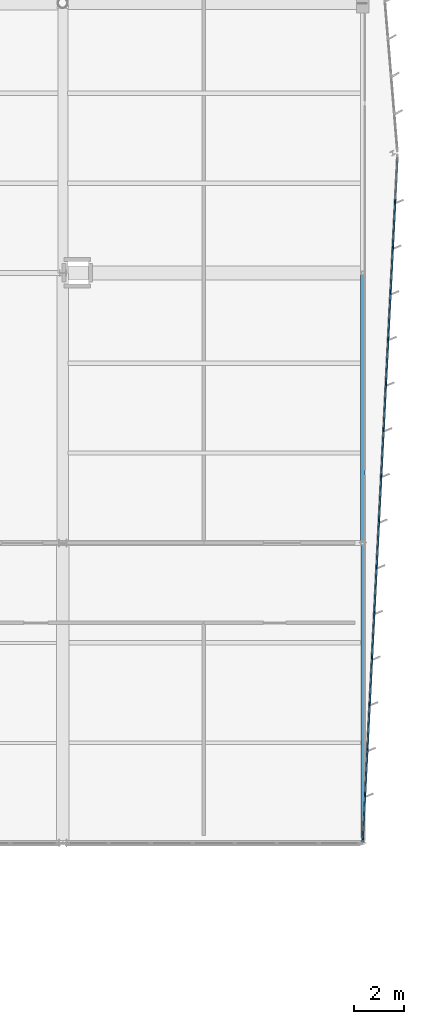
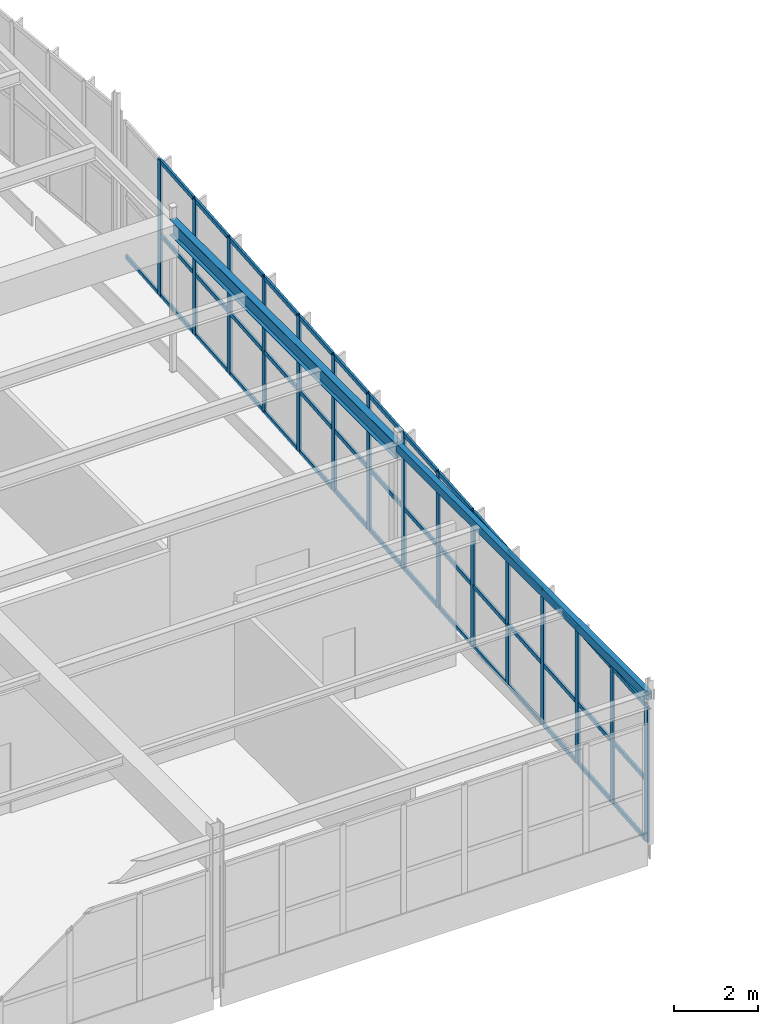
# One storey, part 133 of 226: 58 members, 2 beams, 1 element without a shape of its own.
"""IFC4 building model written with IfcOpenShell, lengths in metres."""

from ifc_helpers import new_model, si_unit, direction, frame, origin, origin_2d, place, context, subcontext, project, spatial, rectangle, hollow_rectangle, i_section, extrude, material, layer, layer_set, material_profile, profile_set, type_object, element, aggregate, save


model = new_model("IFC4")

# Units and contexts
model_context = context("Model", 3, precision=1e-05, world=origin(), true_north=direction((0.0, 1.0)))
body_context = subcontext(model_context, "Body", "Model", "MODEL_VIEW")
ifc_project = project(units=[si_unit("LENGTHUNIT", "METRE"), si_unit("AREAUNIT", "SQUARE_METRE"), si_unit("VOLUMEUNIT", "CUBIC_METRE"), si_unit("PLANEANGLEUNIT", "RADIAN"), si_unit("MASSUNIT", "GRAM", prefix="KILO")], contexts=[model_context])

# Site, building, storey
site_placement = place(None, origin())
site = spatial("IfcSite", under=ifc_project, at=site_placement, CompositionType="ELEMENT")
building_placement = place(site_placement, origin())
building = spatial("IfcBuilding", under=site, at=building_placement, Name="Tarnwether General Hospital", CompositionType="ELEMENT")
storey_placement = place(building_placement, frame((0.0, 0.0, 4.800048828125)))
storey = spatial("IfcBuildingStorey", under=building, at=storey_placement, Name="L01", CompositionType="ELEMENT", Elevation=4.800048828125)

# Beams
ifc_material_1 = material(Name="Steel Grade 350 (350 MPa)", Category="steel")
ifc_material_profile_1 = material_profile(ifc_material_1, i_section(OverallWidth=0.18994140625, OverallDepth=0.4541015625, WebThickness=0.008544921875, FlangeThickness=0.0126953125, at=origin_2d()), Name="460UB67.1")
ifc_profile_set_1 = profile_set([ifc_material_profile_1], Name="Steel Grade 350 (350 MPa)")
beam_type_1 = type_object("IfcBeamType", Name="BM-SP1", PredefinedType="SPANDREL", material=ifc_profile_set_1)
beam_1_placement = place(storey_placement, frame((192.0, 93.60009765625, 4.218017578125), z_axis=(0.0, 1.0, 0.0), x_axis=(-1.0, 0.0, 0.0)))
element("IfcBeam", 1, at=beam_1_placement, inside=storey, type_object=beam_type_1, Name="Primary Girder BMG-L01-19200_9360-19200_10440-1288", PredefinedType="SPANDREL", context=body_context, shape_type="SweptSolid", body=[
    extrude(i_section(OverallWidth=0.18994140625, OverallDepth=0.4541015625, WebThickness=0.008544921875, FlangeThickness=0.0126953125, at=origin_2d()), origin(), (0.0, 0.0, 1.0), 10.7998046875),
])
ifc_material_2 = material(Name="Steel Grade C350L0 (350 MPa)", Category="steel")
ifc_material_profile_2 = material_profile(ifc_material_2, hollow_rectangle(XDim=0.14990234375, YDim=0.25, WallThickness=0.008056640625, at=origin_2d()), Name="RHS250x150x8")
ifc_profile_set_2 = profile_set([ifc_material_profile_2], Name="Steel Grade C350L0 (350 MPa)")
beam_type_2 = type_object("IfcBeamType", Name="BM-SP8", PredefinedType="SPANDREL", material=ifc_profile_set_2)
beam_2_placement = place(storey_placement, frame((192.0, 81.60009765625, 4.320068359375), z_axis=(0.0, 1.0, 0.0), x_axis=(-1.0, 0.0, 0.0)))
element("IfcBeam", 2, at=beam_2_placement, inside=storey, type_object=beam_type_2, Name="Primary Girder BMG-L01-19200_8160-19200_9360-1287", PredefinedType="SPANDREL", context=body_context, shape_type="SweptSolid", body=[
    extrude(hollow_rectangle(XDim=0.14990234375, YDim=0.25, WallThickness=0.008056640625, at=origin_2d()), origin(), (0.0, 0.0, 1.0), 12.0),
])

# Curtain wall, members
ifc_material_3 = material(Name="Anodised aluminium", Category="aluminium")
ifc_layer = layer(ifc_material_3, 0.159912109375)
ifc_layer_set = layer_set([ifc_layer], Name="Anodised aluminium")
curtain_wall_type = type_object("IfcCurtainWallType", Name="CW-17", PredefinedType="NOTDEFINED", material=ifc_layer_set)
curtain_wall_placement = place(storey_placement, origin())
curtain_wall = element("IfcCurtainWall", 3, at=curtain_wall_placement, inside=storey, type_object=curtain_wall_type, Name="Curtain Wall CWG-L01-1934_1091-0398", PredefinedType="NOTDEFINED")
ifc_material_4 = material(Name="Anodised aluminium", Category="aluminium")
ifc_material_profile_3 = material_profile(ifc_material_4, rectangle(XDim=0.06005859375, YDim=0.159912109375, at=origin_2d()), Name="ALU-MUL-60x160")
ifc_profile_set_3 = profile_set([ifc_material_profile_3], Name="Anodised aluminium")
member_type_1 = type_object("IfcMemberType", Name="CW-ML1", PredefinedType="MULLION", material=ifc_profile_set_3)
member_1_placement = place(storey_placement, frame((193.30224609375, 107.269775390625, 0.0), z_axis=(0.0, 0.0, 1.0), x_axis=(0.998714713444, -0.050684525759, 0.0)))
member_1 = element("IfcMember", 4, at=member_1_placement, type_object=member_type_1, Name="CW-17 mullion 2", PredefinedType="MULLION", context=body_context, shape_type="SweptSolid", body=[
    extrude(rectangle(XDim=0.06005859375, YDim=0.159912109375, at=origin_2d()), origin(), (0.0, 0.0, 1.0), 3.972900390625),
])
member_2_placement = place(storey_placement, frame((193.20947265625, 105.4423828125, 0.0), z_axis=(0.0, 0.0, 1.0), x_axis=(0.998714713444, -0.050684525759, 0.0)))
member_2 = element("IfcMember", 5, at=member_2_placement, type_object=member_type_1, Name="CW-17 mullion 3", PredefinedType="MULLION", context=body_context, shape_type="SweptSolid", body=[
    extrude(rectangle(XDim=0.06005859375, YDim=0.159912109375, at=origin_2d()), origin(), (0.0, 0.0, 1.0), 3.972900390625),
])
member_3_placement = place(storey_placement, frame((193.11669921875, 103.615234375, 0.0), z_axis=(0.0, 0.0, 1.0), x_axis=(0.998714713444, -0.050684525759, 0.0)))
member_3 = element("IfcMember", 6, at=member_3_placement, type_object=member_type_1, Name="CW-17 mullion 4", PredefinedType="MULLION", context=body_context, shape_type="SweptSolid", body=[
    extrude(rectangle(XDim=0.06005859375, YDim=0.159912109375, at=origin_2d()), origin(), (0.0, 0.0, 1.0), 3.972900390625),
])
member_4_placement = place(storey_placement, frame((193.024169921875, 101.787841796875, 0.0), z_axis=(0.0, 0.0, 1.0), x_axis=(0.998714713444, -0.050684525759, 0.0)))
member_4 = element("IfcMember", 7, at=member_4_placement, type_object=member_type_1, Name="CW-17 mullion 5", PredefinedType="MULLION", context=body_context, shape_type="SweptSolid", body=[
    extrude(rectangle(XDim=0.06005859375, YDim=0.159912109375, at=origin_2d()), origin(), (0.0, 0.0, 1.0), 3.972900390625),
])
member_5_placement = place(storey_placement, frame((192.931396484375, 99.960693359375, 0.0), z_axis=(0.0, 0.0, 1.0), x_axis=(0.998714713444, -0.050684525759, 0.0)))
member_5 = element("IfcMember", 8, at=member_5_placement, type_object=member_type_1, Name="CW-17 mullion 6", PredefinedType="MULLION", context=body_context, shape_type="SweptSolid", body=[
    extrude(rectangle(XDim=0.06005859375, YDim=0.159912109375, at=origin_2d()), origin(), (0.0, 0.0, 1.0), 3.972900390625),
])
member_6_placement = place(storey_placement, frame((192.838623046875, 98.13330078125, 0.0), z_axis=(0.0, 0.0, 1.0), x_axis=(0.998714713444, -0.050684525759, 0.0)))
member_6 = element("IfcMember", 9, at=member_6_placement, type_object=member_type_1, Name="CW-17 mullion 7", PredefinedType="MULLION", context=body_context, shape_type="SweptSolid", body=[
    extrude(rectangle(XDim=0.06005859375, YDim=0.159912109375, at=origin_2d()), origin(), (0.0, 0.0, 1.0), 3.972900390625),
])
member_7_placement = place(storey_placement, frame((192.745849609375, 96.30615234375, 0.0), z_axis=(0.0, 0.0, 1.0), x_axis=(0.998714713444, -0.050684525759, 0.0)))
member_7 = element("IfcMember", 10, at=member_7_placement, type_object=member_type_1, Name="CW-17 mullion 8", PredefinedType="MULLION", context=body_context, shape_type="SweptSolid", body=[
    extrude(rectangle(XDim=0.06005859375, YDim=0.159912109375, at=origin_2d()), origin(), (0.0, 0.0, 1.0), 3.972900390625),
])
member_8_placement = place(storey_placement, frame((192.653076171875, 94.478759765625, 0.0), z_axis=(0.0, 0.0, 1.0), x_axis=(0.998714713444, -0.050684525759, 0.0)))
member_8 = element("IfcMember", 11, at=member_8_placement, type_object=member_type_1, Name="CW-17 mullion 9", PredefinedType="MULLION", context=body_context, shape_type="SweptSolid", body=[
    extrude(rectangle(XDim=0.06005859375, YDim=0.159912109375, at=origin_2d()), origin(), (0.0, 0.0, 1.0), 3.972900390625),
])
member_9_placement = place(storey_placement, frame((192.560302734375, 92.651611328125, 0.0), z_axis=(0.0, 0.0, 1.0), x_axis=(0.998714713444, -0.050684525759, 0.0)))
member_9 = element("IfcMember", 12, at=member_9_placement, type_object=member_type_1, Name="CW-17 mullion 10", PredefinedType="MULLION", context=body_context, shape_type="SweptSolid", body=[
    extrude(rectangle(XDim=0.06005859375, YDim=0.159912109375, at=origin_2d()), origin(), (0.0, 0.0, 1.0), 3.972900390625),
])
member_10_placement = place(storey_placement, frame((192.4677734375, 90.82421875, 0.0), z_axis=(0.0, 0.0, 1.0), x_axis=(0.998714713444, -0.050684525759, 0.0)))
member_10 = element("IfcMember", 13, at=member_10_placement, type_object=member_type_1, Name="CW-17 mullion 11", PredefinedType="MULLION", context=body_context, shape_type="SweptSolid", body=[
    extrude(rectangle(XDim=0.06005859375, YDim=0.159912109375, at=origin_2d()), origin(), (0.0, 0.0, 1.0), 3.972900390625),
])
member_11_placement = place(storey_placement, frame((192.375, 88.9970703125, 0.0), z_axis=(0.0, 0.0, 1.0), x_axis=(0.998714713444, -0.050684525759, 0.0)))
member_11 = element("IfcMember", 14, at=member_11_placement, type_object=member_type_1, Name="CW-17 mullion 12", PredefinedType="MULLION", context=body_context, shape_type="SweptSolid", body=[
    extrude(rectangle(XDim=0.06005859375, YDim=0.159912109375, at=origin_2d()), origin(), (0.0, 0.0, 1.0), 3.972900390625),
])
member_12_placement = place(storey_placement, frame((192.2822265625, 87.169921875, 0.0), z_axis=(0.0, 0.0, 1.0), x_axis=(0.998714713444, -0.050684525759, 0.0)))
member_12 = element("IfcMember", 15, at=member_12_placement, type_object=member_type_1, Name="CW-17 mullion 13", PredefinedType="MULLION", context=body_context, shape_type="SweptSolid", body=[
    extrude(rectangle(XDim=0.06005859375, YDim=0.159912109375, at=origin_2d()), origin(), (0.0, 0.0, 1.0), 3.972900390625),
])
member_13_placement = place(storey_placement, frame((192.189453125, 85.342529296875, 0.0), z_axis=(0.0, 0.0, 1.0), x_axis=(0.998714713444, -0.050684525759, 0.0)))
member_13 = element("IfcMember", 16, at=member_13_placement, type_object=member_type_1, Name="CW-17 mullion 14", PredefinedType="MULLION", context=body_context, shape_type="SweptSolid", body=[
    extrude(rectangle(XDim=0.06005859375, YDim=0.159912109375, at=origin_2d()), origin(), (0.0, 0.0, 1.0), 3.972900390625),
])
member_14_placement = place(storey_placement, frame((192.0966796875, 83.515380859375, 0.0), z_axis=(0.0, 0.0, 1.0), x_axis=(0.998714713444, -0.050684525759, 0.0)))
member_14 = element("IfcMember", 17, at=member_14_placement, type_object=member_type_1, Name="CW-17 mullion 15", PredefinedType="MULLION", context=body_context, shape_type="SweptSolid", body=[
    extrude(rectangle(XDim=0.06005859375, YDim=0.159912109375, at=origin_2d()), origin(), (0.0, 0.0, 1.0), 3.972900390625),
])
member_15_placement = place(storey_placement, frame((192.005615234375, 81.718017578125, 0.0), z_axis=(0.0, 0.0, 1.0), x_axis=(0.998714713444, -0.050684525759, 0.0)))
member_15 = element("IfcMember", 18, at=member_15_placement, type_object=member_type_1, Name="CW-17 mullion 16", PredefinedType="MULLION", context=body_context, shape_type="SweptSolid", body=[
    extrude(rectangle(XDim=0.06005859375, YDim=0.159912109375, at=origin_2d()), origin(), (0.0, 0.0, 1.0), 3.972900390625),
])
ifc_material_5 = material(Name="Anodised aluminium", Category="aluminium")
ifc_material_profile_4 = material_profile(ifc_material_5, rectangle(XDim=0.06005859375, YDim=0.1201171875, at=origin_2d()), Name="ALU-TRN-60x120")
ifc_profile_set_4 = profile_set([ifc_material_profile_4], Name="Anodised aluminium")
member_type_2 = type_object("IfcMemberType", Name="CW-TR1", PredefinedType="USERDEFINED", material=ifc_profile_set_4)
member_16_placement = place(storey_placement, frame((193.391845703125, 109.037109375, 0.030029296875), z_axis=(-0.050665592798, -0.998715674107, 0.0), x_axis=(0.998715674107, -0.050665592798, 0.0)))
member_16 = element("IfcMember", 19, at=member_16_placement, type_object=member_type_2, Name="CW-17 transom 1.1", ObjectType="TRANSOM", PredefinedType="USERDEFINED", context=body_context, shape_type="SweptSolid", body=[
    extrude(rectangle(XDim=0.06005859375, YDim=0.1201171875, at=origin_2d()), origin(), (0.0, 0.0, 1.0), 1.739501953125),
])
member_17_placement = place(storey_placement, frame((193.30078125, 107.23974609375, 0.030029296875), z_axis=(-0.050770191092, -0.998710362266, 0.0), x_axis=(0.998710362266, -0.050770191092, 0.0)))
member_17 = element("IfcMember", 20, at=member_17_placement, type_object=member_type_2, Name="CW-17 transom 2.1", ObjectType="TRANSOM", PredefinedType="USERDEFINED", context=body_context, shape_type="SweptSolid", body=[
    extrude(rectangle(XDim=0.06005859375, YDim=0.1201171875, at=origin_2d()), origin(), (0.0, 0.0, 1.0), 1.76953125),
])
member_18_placement = place(storey_placement, frame((193.30078125, 107.23974609375, 1.787841796875), z_axis=(-0.050770191092, -0.998710362266, 0.0), x_axis=(0.998710362266, -0.050770191092, 0.0)))
member_18 = element("IfcMember", 21, at=member_18_placement, type_object=member_type_2, Name="CW-17 transom 2.2", ObjectType="TRANSOM", PredefinedType="USERDEFINED", context=body_context, shape_type="SweptSolid", body=[
    extrude(rectangle(XDim=0.06005859375, YDim=0.1201171875, at=origin_2d()), origin(), (0.0, 0.0, 1.0), 1.76953125),
])
member_19_placement = place(storey_placement, frame((193.30078125, 107.23974609375, 3.94287109375), z_axis=(-0.050770191092, -0.998710362266, 0.0), x_axis=(0.998710362266, -0.050770191092, 0.0)))
member_19 = element("IfcMember", 22, at=member_19_placement, type_object=member_type_2, Name="CW-17 transom 2.3", ObjectType="TRANSOM", PredefinedType="USERDEFINED", context=body_context, shape_type="SweptSolid", body=[
    extrude(rectangle(XDim=0.06005859375, YDim=0.1201171875, at=origin_2d()), origin(), (0.0, 0.0, 1.0), 1.76953125),
])
member_20_placement = place(storey_placement, frame((193.2080078125, 105.41259765625, 0.030029296875), z_axis=(-0.050632582785, -0.998717348182, 0.0), x_axis=(0.998717348182, -0.050632582785, 0.0)))
member_20 = element("IfcMember", 23, at=member_20_placement, type_object=member_type_2, Name="CW-17 transom 3.1", ObjectType="TRANSOM", PredefinedType="USERDEFINED", context=body_context, shape_type="SweptSolid", body=[
    extrude(rectangle(XDim=0.06005859375, YDim=0.1201171875, at=origin_2d()), origin(), (0.0, 0.0, 1.0), 1.76953125),
])
member_21_placement = place(storey_placement, frame((193.2080078125, 105.41259765625, 1.787841796875), z_axis=(-0.050632582785, -0.998717348182, 0.0), x_axis=(0.998717348182, -0.050632582785, 0.0)))
member_21 = element("IfcMember", 24, at=member_21_placement, type_object=member_type_2, Name="CW-17 transom 3.2", ObjectType="TRANSOM", PredefinedType="USERDEFINED", context=body_context, shape_type="SweptSolid", body=[
    extrude(rectangle(XDim=0.06005859375, YDim=0.1201171875, at=origin_2d()), origin(), (0.0, 0.0, 1.0), 1.76953125),
])
member_22_placement = place(storey_placement, frame((193.2080078125, 105.41259765625, 3.94287109375), z_axis=(-0.050632582785, -0.998717348182, 0.0), x_axis=(0.998717348182, -0.050632582785, 0.0)))
member_22 = element("IfcMember", 25, at=member_22_placement, type_object=member_type_2, Name="CW-17 transom 3.3", ObjectType="TRANSOM", PredefinedType="USERDEFINED", context=body_context, shape_type="SweptSolid", body=[
    extrude(rectangle(XDim=0.06005859375, YDim=0.1201171875, at=origin_2d()), origin(), (0.0, 0.0, 1.0), 1.76953125),
])
member_23_placement = place(storey_placement, frame((193.115234375, 103.585205078125, 0.030029296875), z_axis=(-0.050632582785, -0.998717348182, 0.0), x_axis=(0.998717348182, -0.050632582785, 0.0)))
member_23 = element("IfcMember", 26, at=member_23_placement, type_object=member_type_2, Name="CW-17 transom 4.1", ObjectType="TRANSOM", PredefinedType="USERDEFINED", context=body_context, shape_type="SweptSolid", body=[
    extrude(rectangle(XDim=0.06005859375, YDim=0.1201171875, at=origin_2d()), origin(), (0.0, 0.0, 1.0), 1.76953125),
])
member_24_placement = place(storey_placement, frame((193.115234375, 103.585205078125, 1.787841796875), z_axis=(-0.050632582785, -0.998717348182, 0.0), x_axis=(0.998717348182, -0.050632582785, 0.0)))
member_24 = element("IfcMember", 27, at=member_24_placement, type_object=member_type_2, Name="CW-17 transom 4.2", ObjectType="TRANSOM", PredefinedType="USERDEFINED", context=body_context, shape_type="SweptSolid", body=[
    extrude(rectangle(XDim=0.06005859375, YDim=0.1201171875, at=origin_2d()), origin(), (0.0, 0.0, 1.0), 1.76953125),
])
member_25_placement = place(storey_placement, frame((193.115234375, 103.585205078125, 3.94287109375), z_axis=(-0.050632582785, -0.998717348182, 0.0), x_axis=(0.998717348182, -0.050632582785, 0.0)))
member_25 = element("IfcMember", 28, at=member_25_placement, type_object=member_type_2, Name="CW-17 transom 4.3", ObjectType="TRANSOM", PredefinedType="USERDEFINED", context=body_context, shape_type="SweptSolid", body=[
    extrude(rectangle(XDim=0.06005859375, YDim=0.1201171875, at=origin_2d()), origin(), (0.0, 0.0, 1.0), 1.76953125),
])
member_26_placement = place(storey_placement, frame((193.0224609375, 101.758056640625, 0.030029296875), z_axis=(-0.050632582785, -0.998717348182, 0.0), x_axis=(0.998717348182, -0.050632582785, 0.0)))
member_26 = element("IfcMember", 29, at=member_26_placement, type_object=member_type_2, Name="CW-17 transom 5.1", ObjectType="TRANSOM", PredefinedType="USERDEFINED", context=body_context, shape_type="SweptSolid", body=[
    extrude(rectangle(XDim=0.06005859375, YDim=0.1201171875, at=origin_2d()), origin(), (0.0, 0.0, 1.0), 1.76953125),
])
member_27_placement = place(storey_placement, frame((193.0224609375, 101.758056640625, 1.787841796875), z_axis=(-0.050632582785, -0.998717348182, 0.0), x_axis=(0.998717348182, -0.050632582785, 0.0)))
member_27 = element("IfcMember", 30, at=member_27_placement, type_object=member_type_2, Name="CW-17 transom 5.2", ObjectType="TRANSOM", PredefinedType="USERDEFINED", context=body_context, shape_type="SweptSolid", body=[
    extrude(rectangle(XDim=0.06005859375, YDim=0.1201171875, at=origin_2d()), origin(), (0.0, 0.0, 1.0), 1.76953125),
])
member_28_placement = place(storey_placement, frame((193.0224609375, 101.758056640625, 3.94287109375), z_axis=(-0.050632582785, -0.998717348182, 0.0), x_axis=(0.998717348182, -0.050632582785, 0.0)))
member_28 = element("IfcMember", 31, at=member_28_placement, type_object=member_type_2, Name="CW-17 transom 5.3", ObjectType="TRANSOM", PredefinedType="USERDEFINED", context=body_context, shape_type="SweptSolid", body=[
    extrude(rectangle(XDim=0.06005859375, YDim=0.1201171875, at=origin_2d()), origin(), (0.0, 0.0, 1.0), 1.76953125),
])
member_29_placement = place(storey_placement, frame((192.929931640625, 99.9306640625, 0.030029296875), z_axis=(-0.050770191092, -0.998710362266, 0.0), x_axis=(0.998710362266, -0.050770191092, 0.0)))
member_29 = element("IfcMember", 32, at=member_29_placement, type_object=member_type_2, Name="CW-17 transom 6.1", ObjectType="TRANSOM", PredefinedType="USERDEFINED", context=body_context, shape_type="SweptSolid", body=[
    extrude(rectangle(XDim=0.06005859375, YDim=0.1201171875, at=origin_2d()), origin(), (0.0, 0.0, 1.0), 1.76953125),
])
member_30_placement = place(storey_placement, frame((192.929931640625, 99.9306640625, 1.787841796875), z_axis=(-0.050770191092, -0.998710362266, 0.0), x_axis=(0.998710362266, -0.050770191092, 0.0)))
member_30 = element("IfcMember", 33, at=member_30_placement, type_object=member_type_2, Name="CW-17 transom 6.2", ObjectType="TRANSOM", PredefinedType="USERDEFINED", context=body_context, shape_type="SweptSolid", body=[
    extrude(rectangle(XDim=0.06005859375, YDim=0.1201171875, at=origin_2d()), origin(), (0.0, 0.0, 1.0), 1.76953125),
])
member_31_placement = place(storey_placement, frame((192.929931640625, 99.9306640625, 3.94287109375), z_axis=(-0.050770191092, -0.998710362266, 0.0), x_axis=(0.998710362266, -0.050770191092, 0.0)))
member_31 = element("IfcMember", 34, at=member_31_placement, type_object=member_type_2, Name="CW-17 transom 6.3", ObjectType="TRANSOM", PredefinedType="USERDEFINED", context=body_context, shape_type="SweptSolid", body=[
    extrude(rectangle(XDim=0.06005859375, YDim=0.1201171875, at=origin_2d()), origin(), (0.0, 0.0, 1.0), 1.76953125),
])
member_32_placement = place(storey_placement, frame((192.837158203125, 98.103515625, 0.030029296875), z_axis=(-0.050770191092, -0.998710362266, 0.0), x_axis=(0.998710362266, -0.050770191092, 0.0)))
member_32 = element("IfcMember", 35, at=member_32_placement, type_object=member_type_2, Name="CW-17 transom 7.1", ObjectType="TRANSOM", PredefinedType="USERDEFINED", context=body_context, shape_type="SweptSolid", body=[
    extrude(rectangle(XDim=0.06005859375, YDim=0.1201171875, at=origin_2d()), origin(), (0.0, 0.0, 1.0), 1.76953125),
])
member_33_placement = place(storey_placement, frame((192.837158203125, 98.103515625, 1.787841796875), z_axis=(-0.050770191092, -0.998710362266, 0.0), x_axis=(0.998710362266, -0.050770191092, 0.0)))
member_33 = element("IfcMember", 36, at=member_33_placement, type_object=member_type_2, Name="CW-17 transom 7.2", ObjectType="TRANSOM", PredefinedType="USERDEFINED", context=body_context, shape_type="SweptSolid", body=[
    extrude(rectangle(XDim=0.06005859375, YDim=0.1201171875, at=origin_2d()), origin(), (0.0, 0.0, 1.0), 1.76953125),
])
member_34_placement = place(storey_placement, frame((192.837158203125, 98.103515625, 3.94287109375), z_axis=(-0.050770191092, -0.998710362266, 0.0), x_axis=(0.998710362266, -0.050770191092, 0.0)))
member_34 = element("IfcMember", 37, at=member_34_placement, type_object=member_type_2, Name="CW-17 transom 7.3", ObjectType="TRANSOM", PredefinedType="USERDEFINED", context=body_context, shape_type="SweptSolid", body=[
    extrude(rectangle(XDim=0.06005859375, YDim=0.1201171875, at=origin_2d()), origin(), (0.0, 0.0, 1.0), 1.76953125),
])
member_35_placement = place(storey_placement, frame((192.744384765625, 96.276123046875, 0.030029296875), z_axis=(-0.050770191092, -0.998710362266, 0.0), x_axis=(0.998710362266, -0.050770191092, 0.0)))
member_35 = element("IfcMember", 38, at=member_35_placement, type_object=member_type_2, Name="CW-17 transom 8.1", ObjectType="TRANSOM", PredefinedType="USERDEFINED", context=body_context, shape_type="SweptSolid", body=[
    extrude(rectangle(XDim=0.06005859375, YDim=0.1201171875, at=origin_2d()), origin(), (0.0, 0.0, 1.0), 1.76953125),
])
member_36_placement = place(storey_placement, frame((192.744384765625, 96.276123046875, 1.787841796875), z_axis=(-0.050770191092, -0.998710362266, 0.0), x_axis=(0.998710362266, -0.050770191092, 0.0)))
member_36 = element("IfcMember", 39, at=member_36_placement, type_object=member_type_2, Name="CW-17 transom 8.2", ObjectType="TRANSOM", PredefinedType="USERDEFINED", context=body_context, shape_type="SweptSolid", body=[
    extrude(rectangle(XDim=0.06005859375, YDim=0.1201171875, at=origin_2d()), origin(), (0.0, 0.0, 1.0), 1.76953125),
])
member_37_placement = place(storey_placement, frame((192.744384765625, 96.276123046875, 3.94287109375), z_axis=(-0.050770191092, -0.998710362266, 0.0), x_axis=(0.998710362266, -0.050770191092, 0.0)))
member_37 = element("IfcMember", 40, at=member_37_placement, type_object=member_type_2, Name="CW-17 transom 8.3", ObjectType="TRANSOM", PredefinedType="USERDEFINED", context=body_context, shape_type="SweptSolid", body=[
    extrude(rectangle(XDim=0.06005859375, YDim=0.1201171875, at=origin_2d()), origin(), (0.0, 0.0, 1.0), 1.76953125),
])
member_38_placement = place(storey_placement, frame((192.651611328125, 94.448974609375, 0.030029296875), z_axis=(-0.050632582785, -0.998717348182, 0.0), x_axis=(0.998717348182, -0.050632582785, 0.0)))
member_38 = element("IfcMember", 41, at=member_38_placement, type_object=member_type_2, Name="CW-17 transom 9.1", ObjectType="TRANSOM", PredefinedType="USERDEFINED", context=body_context, shape_type="SweptSolid", body=[
    extrude(rectangle(XDim=0.06005859375, YDim=0.1201171875, at=origin_2d()), origin(), (0.0, 0.0, 1.0), 1.76953125),
])
member_39_placement = place(storey_placement, frame((192.651611328125, 94.448974609375, 1.787841796875), z_axis=(-0.050632582785, -0.998717348182, 0.0), x_axis=(0.998717348182, -0.050632582785, 0.0)))
member_39 = element("IfcMember", 42, at=member_39_placement, type_object=member_type_2, Name="CW-17 transom 9.2", ObjectType="TRANSOM", PredefinedType="USERDEFINED", context=body_context, shape_type="SweptSolid", body=[
    extrude(rectangle(XDim=0.06005859375, YDim=0.1201171875, at=origin_2d()), origin(), (0.0, 0.0, 1.0), 1.76953125),
])
member_40_placement = place(storey_placement, frame((192.651611328125, 94.448974609375, 3.94287109375), z_axis=(-0.050632582785, -0.998717348182, 0.0), x_axis=(0.998717348182, -0.050632582785, 0.0)))
member_40 = element("IfcMember", 43, at=member_40_placement, type_object=member_type_2, Name="CW-17 transom 9.3", ObjectType="TRANSOM", PredefinedType="USERDEFINED", context=body_context, shape_type="SweptSolid", body=[
    extrude(rectangle(XDim=0.06005859375, YDim=0.1201171875, at=origin_2d()), origin(), (0.0, 0.0, 1.0), 1.76953125),
])
member_41_placement = place(storey_placement, frame((192.558837890625, 92.62158203125, 0.030029296875), z_axis=(-0.050632582785, -0.998717348182, 0.0), x_axis=(0.998717348182, -0.050632582785, 0.0)))
member_41 = element("IfcMember", 44, at=member_41_placement, type_object=member_type_2, Name="CW-17 transom 10.1", ObjectType="TRANSOM", PredefinedType="USERDEFINED", context=body_context, shape_type="SweptSolid", body=[
    extrude(rectangle(XDim=0.06005859375, YDim=0.1201171875, at=origin_2d()), origin(), (0.0, 0.0, 1.0), 1.76953125),
])
member_42_placement = place(storey_placement, frame((192.558837890625, 92.62158203125, 1.787841796875), z_axis=(-0.050632582785, -0.998717348182, 0.0), x_axis=(0.998717348182, -0.050632582785, 0.0)))
member_42 = element("IfcMember", 45, at=member_42_placement, type_object=member_type_2, Name="CW-17 transom 10.2", ObjectType="TRANSOM", PredefinedType="USERDEFINED", context=body_context, shape_type="SweptSolid", body=[
    extrude(rectangle(XDim=0.06005859375, YDim=0.1201171875, at=origin_2d()), origin(), (0.0, 0.0, 1.0), 1.76953125),
])
member_43_placement = place(storey_placement, frame((192.558837890625, 92.62158203125, 3.94287109375), z_axis=(-0.050632582785, -0.998717348182, 0.0), x_axis=(0.998717348182, -0.050632582785, 0.0)))
member_43 = element("IfcMember", 46, at=member_43_placement, type_object=member_type_2, Name="CW-17 transom 10.3", ObjectType="TRANSOM", PredefinedType="USERDEFINED", context=body_context, shape_type="SweptSolid", body=[
    extrude(rectangle(XDim=0.06005859375, YDim=0.1201171875, at=origin_2d()), origin(), (0.0, 0.0, 1.0), 1.76953125),
])
member_44_placement = place(storey_placement, frame((192.466064453125, 90.79443359375, 0.030029296875), z_axis=(-0.050632582785, -0.998717348182, 0.0), x_axis=(0.998717348182, -0.050632582785, 0.0)))
member_44 = element("IfcMember", 47, at=member_44_placement, type_object=member_type_2, Name="CW-17 transom 11.1", ObjectType="TRANSOM", PredefinedType="USERDEFINED", context=body_context, shape_type="SweptSolid", body=[
    extrude(rectangle(XDim=0.06005859375, YDim=0.1201171875, at=origin_2d()), origin(), (0.0, 0.0, 1.0), 1.76953125),
])
member_45_placement = place(storey_placement, frame((192.466064453125, 90.79443359375, 1.787841796875), z_axis=(-0.050632582785, -0.998717348182, 0.0), x_axis=(0.998717348182, -0.050632582785, 0.0)))
member_45 = element("IfcMember", 48, at=member_45_placement, type_object=member_type_2, Name="CW-17 transom 11.2", ObjectType="TRANSOM", PredefinedType="USERDEFINED", context=body_context, shape_type="SweptSolid", body=[
    extrude(rectangle(XDim=0.06005859375, YDim=0.1201171875, at=origin_2d()), origin(), (0.0, 0.0, 1.0), 1.76953125),
])
member_46_placement = place(storey_placement, frame((192.466064453125, 90.79443359375, 3.94287109375), z_axis=(-0.050632582785, -0.998717348182, 0.0), x_axis=(0.998717348182, -0.050632582785, 0.0)))
member_46 = element("IfcMember", 49, at=member_46_placement, type_object=member_type_2, Name="CW-17 transom 11.3", ObjectType="TRANSOM", PredefinedType="USERDEFINED", context=body_context, shape_type="SweptSolid", body=[
    extrude(rectangle(XDim=0.06005859375, YDim=0.1201171875, at=origin_2d()), origin(), (0.0, 0.0, 1.0), 1.76953125),
])
member_47_placement = place(storey_placement, frame((192.373291015625, 88.967041015625, 0.030029296875), z_axis=(-0.050632582785, -0.998717348182, 0.0), x_axis=(0.998717348182, -0.050632582785, 0.0)))
member_47 = element("IfcMember", 50, at=member_47_placement, type_object=member_type_2, Name="CW-17 transom 12.1", ObjectType="TRANSOM", PredefinedType="USERDEFINED", context=body_context, shape_type="SweptSolid", body=[
    extrude(rectangle(XDim=0.06005859375, YDim=0.1201171875, at=origin_2d()), origin(), (0.0, 0.0, 1.0), 1.76953125),
])
member_48_placement = place(storey_placement, frame((192.373291015625, 88.967041015625, 1.787841796875), z_axis=(-0.050632582785, -0.998717348182, 0.0), x_axis=(0.998717348182, -0.050632582785, 0.0)))
member_48 = element("IfcMember", 51, at=member_48_placement, type_object=member_type_2, Name="CW-17 transom 12.2", ObjectType="TRANSOM", PredefinedType="USERDEFINED", context=body_context, shape_type="SweptSolid", body=[
    extrude(rectangle(XDim=0.06005859375, YDim=0.1201171875, at=origin_2d()), origin(), (0.0, 0.0, 1.0), 1.76953125),
])
member_49_placement = place(storey_placement, frame((192.373291015625, 88.967041015625, 3.94287109375), z_axis=(-0.050632582785, -0.998717348182, 0.0), x_axis=(0.998717348182, -0.050632582785, 0.0)))
member_49 = element("IfcMember", 52, at=member_49_placement, type_object=member_type_2, Name="CW-17 transom 12.3", ObjectType="TRANSOM", PredefinedType="USERDEFINED", context=body_context, shape_type="SweptSolid", body=[
    extrude(rectangle(XDim=0.06005859375, YDim=0.1201171875, at=origin_2d()), origin(), (0.0, 0.0, 1.0), 1.76953125),
])
member_50_placement = place(storey_placement, frame((192.28076171875, 87.139892578125, 0.030029296875), z_axis=(-0.050770191092, -0.998710362266, 0.0), x_axis=(0.998710362266, -0.050770191092, 0.0)))
member_50 = element("IfcMember", 53, at=member_50_placement, type_object=member_type_2, Name="CW-17 transom 13.1", ObjectType="TRANSOM", PredefinedType="USERDEFINED", context=body_context, shape_type="SweptSolid", body=[
    extrude(rectangle(XDim=0.06005859375, YDim=0.1201171875, at=origin_2d()), origin(), (0.0, 0.0, 1.0), 1.76953125),
])
member_51_placement = place(storey_placement, frame((192.28076171875, 87.139892578125, 1.787841796875), z_axis=(-0.050770191092, -0.998710362266, 0.0), x_axis=(0.998710362266, -0.050770191092, 0.0)))
member_51 = element("IfcMember", 54, at=member_51_placement, type_object=member_type_2, Name="CW-17 transom 13.2", ObjectType="TRANSOM", PredefinedType="USERDEFINED", context=body_context, shape_type="SweptSolid", body=[
    extrude(rectangle(XDim=0.06005859375, YDim=0.1201171875, at=origin_2d()), origin(), (0.0, 0.0, 1.0), 1.76953125),
])
member_52_placement = place(storey_placement, frame((192.28076171875, 87.139892578125, 3.94287109375), z_axis=(-0.050770191092, -0.998710362266, 0.0), x_axis=(0.998710362266, -0.050770191092, 0.0)))
member_52 = element("IfcMember", 55, at=member_52_placement, type_object=member_type_2, Name="CW-17 transom 13.3", ObjectType="TRANSOM", PredefinedType="USERDEFINED", context=body_context, shape_type="SweptSolid", body=[
    extrude(rectangle(XDim=0.06005859375, YDim=0.1201171875, at=origin_2d()), origin(), (0.0, 0.0, 1.0), 1.76953125),
])
member_53_placement = place(storey_placement, frame((192.18798828125, 85.3125, 0.030029296875), z_axis=(-0.050770191092, -0.998710362266, 0.0), x_axis=(0.998710362266, -0.050770191092, 0.0)))
member_53 = element("IfcMember", 56, at=member_53_placement, type_object=member_type_2, Name="CW-17 transom 14.1", ObjectType="TRANSOM", PredefinedType="USERDEFINED", context=body_context, shape_type="SweptSolid", body=[
    extrude(rectangle(XDim=0.06005859375, YDim=0.1201171875, at=origin_2d()), origin(), (0.0, 0.0, 1.0), 1.76953125),
])
member_54_placement = place(storey_placement, frame((192.18798828125, 85.3125, 1.787841796875), z_axis=(-0.050770191092, -0.998710362266, 0.0), x_axis=(0.998710362266, -0.050770191092, 0.0)))
member_54 = element("IfcMember", 57, at=member_54_placement, type_object=member_type_2, Name="CW-17 transom 14.2", ObjectType="TRANSOM", PredefinedType="USERDEFINED", context=body_context, shape_type="SweptSolid", body=[
    extrude(rectangle(XDim=0.06005859375, YDim=0.1201171875, at=origin_2d()), origin(), (0.0, 0.0, 1.0), 1.76953125),
])
member_55_placement = place(storey_placement, frame((192.18798828125, 85.3125, 3.94287109375), z_axis=(-0.050770191092, -0.998710362266, 0.0), x_axis=(0.998710362266, -0.050770191092, 0.0)))
member_55 = element("IfcMember", 58, at=member_55_placement, type_object=member_type_2, Name="CW-17 transom 14.3", ObjectType="TRANSOM", PredefinedType="USERDEFINED", context=body_context, shape_type="SweptSolid", body=[
    extrude(rectangle(XDim=0.06005859375, YDim=0.1201171875, at=origin_2d()), origin(), (0.0, 0.0, 1.0), 1.76953125),
])
member_56_placement = place(storey_placement, frame((192.09521484375, 83.4853515625, 0.030029296875), z_axis=(-0.050658492115, -0.998716034304, 0.0), x_axis=(0.998716034304, -0.050658492115, 0.0)))
member_56 = element("IfcMember", 59, at=member_56_placement, type_object=member_type_2, Name="CW-17 transom 15.1", ObjectType="TRANSOM", PredefinedType="USERDEFINED", context=body_context, shape_type="SweptSolid", body=[
    extrude(rectangle(XDim=0.06005859375, YDim=0.1201171875, at=origin_2d()), origin(), (0.0, 0.0, 1.0), 1.73974609375),
])
member_57_placement = place(storey_placement, frame((192.09521484375, 83.4853515625, 1.787841796875), z_axis=(-0.050658492115, -0.998716034304, 0.0), x_axis=(0.998716034304, -0.050658492115, 0.0)))
member_57 = element("IfcMember", 60, at=member_57_placement, type_object=member_type_2, Name="CW-17 transom 15.2", ObjectType="TRANSOM", PredefinedType="USERDEFINED", context=body_context, shape_type="SweptSolid", body=[
    extrude(rectangle(XDim=0.06005859375, YDim=0.1201171875, at=origin_2d()), origin(), (0.0, 0.0, 1.0), 1.73974609375),
])
member_58_placement = place(storey_placement, frame((192.09521484375, 83.4853515625, 3.94287109375), z_axis=(-0.050658492115, -0.998716034304, 0.0), x_axis=(0.998716034304, -0.050658492115, 0.0)))
member_58 = element("IfcMember", 61, at=member_58_placement, type_object=member_type_2, Name="CW-17 transom 15.3", ObjectType="TRANSOM", PredefinedType="USERDEFINED", context=body_context, shape_type="SweptSolid", body=[
    extrude(rectangle(XDim=0.06005859375, YDim=0.1201171875, at=origin_2d()), origin(), (0.0, 0.0, 1.0), 1.73974609375),
])
aggregate(curtain_wall, [member_1, member_2, member_3, member_4, member_5, member_6, member_7, member_8, member_9, member_10, member_11, member_12, member_13, member_14, member_15, member_16, member_17, member_18, member_19, member_20, member_21, member_22, member_23, member_24, member_25, member_26, member_27, member_28, member_29, member_30, member_31, member_32, member_33, member_34, member_35, member_36, member_37, member_38, member_39, member_40, member_41, member_42, member_43, member_44, member_45, member_46, member_47, member_48, member_49, member_50, member_51, member_52, member_53, member_54, member_55, member_56, member_57, member_58])

save(model, "model.ifc")
